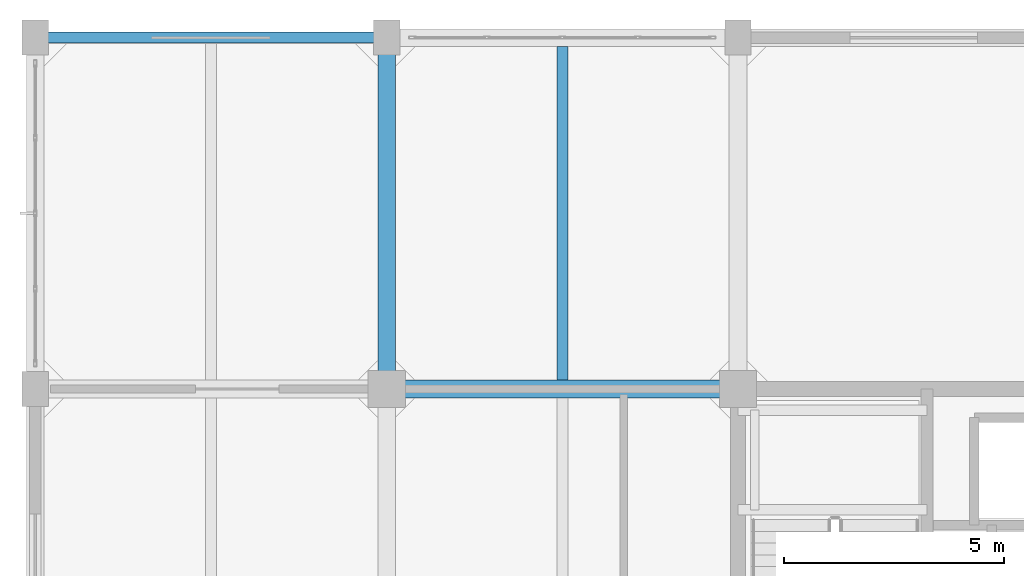
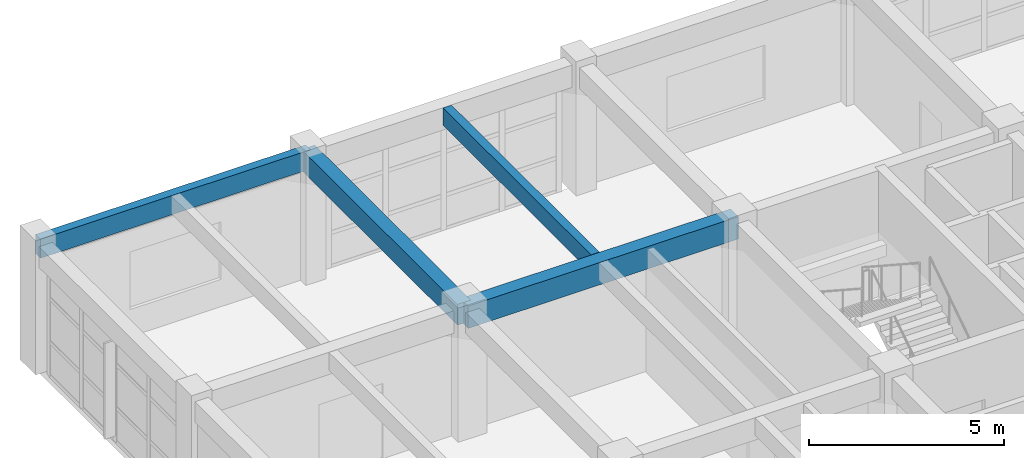
# One storey, part 14 of 27: 4 beams.
"""IFC4 building model written with IfcOpenShell, lengths in metres."""

from ifc_helpers import new_model, si_unit, direction, frame, origin, origin_2d, place, context, subcontext, project, spatial, rectangle, extrude, material, material_profile, profile_set, type_object, element, save


model = new_model("IFC4")

# Units and contexts
model_context = context("Model", 3, precision=1e-05, world=origin(), true_north=direction((0.0, 1.0)))
body_context = subcontext(model_context, "Body", "Model", "MODEL_VIEW")
ifc_project = project(units=[si_unit("LENGTHUNIT", "METRE"), si_unit("AREAUNIT", "SQUARE_METRE"), si_unit("VOLUMEUNIT", "CUBIC_METRE"), si_unit("PLANEANGLEUNIT", "RADIAN"), si_unit("MASSUNIT", "GRAM", prefix="KILO")], contexts=[model_context])

# Site, building, storey
site_placement = place(None, origin())
site = spatial("IfcSite", under=ifc_project, at=site_placement, CompositionType="ELEMENT")
building_placement = place(site_placement, origin())
building = spatial("IfcBuilding", under=site, at=building_placement, Name="Canggui Botanical Conservatory", CompositionType="ELEMENT")
storey_placement = place(building_placement, frame((0.0, 0.0, 31.800048828125)))
storey = spatial("IfcBuildingStorey", under=building, at=storey_placement, Name="L08", CompositionType="ELEMENT", Elevation=31.800048828125)

# Beams
ifc_material = material(Name="Concrete C35", Category="concrete")
ifc_material_profile_1 = material_profile(ifc_material, rectangle(XDim=0.25, YDim=0.550048828125, at=origin_2d()), Name="RB 250x550")
ifc_profile_set_1 = profile_set([ifc_material_profile_1], Name="Concrete C35")
beam_type_1 = type_object("IfcBeamType", Name="BM-JST03", PredefinedType="JOIST", material=ifc_profile_set_1)
beam_1_placement = place(storey_placement, frame((150.0, 66.205078125, 3.704833984375), z_axis=(0.0, 1.0, 0.0), x_axis=(-1.0, 0.0, 0.0)))
element("IfcBeam", 1, at=beam_1_placement, inside=storey, type_object=beam_type_1, Name="Secondary Floor Joist L08-2-5", PredefinedType="JOIST", context=body_context, shape_type="SweptSolid", body=[
    extrude(rectangle(XDim=0.25, YDim=0.550048828125, at=origin_2d()), origin(), (0.0, 0.0, 1.0), 7.58984375),
])
ifc_material_profile_2 = material_profile(ifc_material, rectangle(XDim=0.39990234375, YDim=0.699951171875, at=origin_2d()), Name="RB 400x700")
ifc_profile_set_2 = profile_set([ifc_material_profile_2], Name="Concrete C35")
beam_type_2 = type_object("IfcBeamType", Name="BM-KL11", PredefinedType="BEAM", material=ifc_profile_set_2)
beam_2_placement = place(storey_placement, frame((146.0, 66.0, 3.6298828125), z_axis=(1.0, 0.0, 0.0), x_axis=(0.0, 1.0, 0.0)))
element("IfcBeam", 2, at=beam_2_placement, inside=storey, type_object=beam_type_2, Name="Frame Girder L08 Y66-2", PredefinedType="BEAM", context=body_context, shape_type="SweptSolid", body=[
    extrude(rectangle(XDim=0.39990234375, YDim=0.699951171875, at=origin_2d()), origin(), (0.0, 0.0, 1.0), 8.0),
])
ifc_material_profile_3 = material_profile(ifc_material, rectangle(XDim=0.39990234375, YDim=0.64990234375, at=origin_2d()), Name="RB 400x650")
ifc_profile_set_3 = profile_set([ifc_material_profile_3], Name="Concrete C35")
beam_type_3 = type_object("IfcBeamType", Name="BM-KL12", PredefinedType="BEAM", material=ifc_profile_set_3)
beam_3_placement = place(storey_placement, frame((146.0, 66.0, 3.655029296875), z_axis=(0.0, 1.0, 0.0), x_axis=(-1.0, 0.0, 0.0)))
element("IfcBeam", 3, at=beam_3_placement, inside=storey, type_object=beam_type_3, Name="Frame Girder L08 X146-5", PredefinedType="BEAM", context=body_context, shape_type="SweptSolid", body=[
    extrude(rectangle(XDim=0.39990234375, YDim=0.64990234375, at=origin_2d()), origin(), (0.0, 0.0, 1.0), 8.0),
])
ifc_material_profile_4 = material_profile(ifc_material, rectangle(XDim=0.25, YDim=0.60009765625, at=origin_2d()), Name="RB 250x600")
ifc_profile_set_4 = profile_set([ifc_material_profile_4], Name="Concrete C35")
beam_type_4 = type_object("IfcBeamType", Name="BM-SPD02", PredefinedType="SPANDREL", material=ifc_profile_set_4)
beam_4_placement = place(storey_placement, frame((138.0, 74.0, 3.679931640625), z_axis=(1.0, 0.0, 0.0), x_axis=(0.0, 1.0, 0.0)))
element("IfcBeam", 4, at=beam_4_placement, inside=storey, type_object=beam_type_4, Name="Frame Girder L08 Y74-1", PredefinedType="SPANDREL", context=body_context, shape_type="SweptSolid", body=[
    extrude(rectangle(XDim=0.25, YDim=0.60009765625, at=origin_2d()), origin(), (0.0, 0.0, 1.0), 8.0),
])

save(model, "model.ifc")
